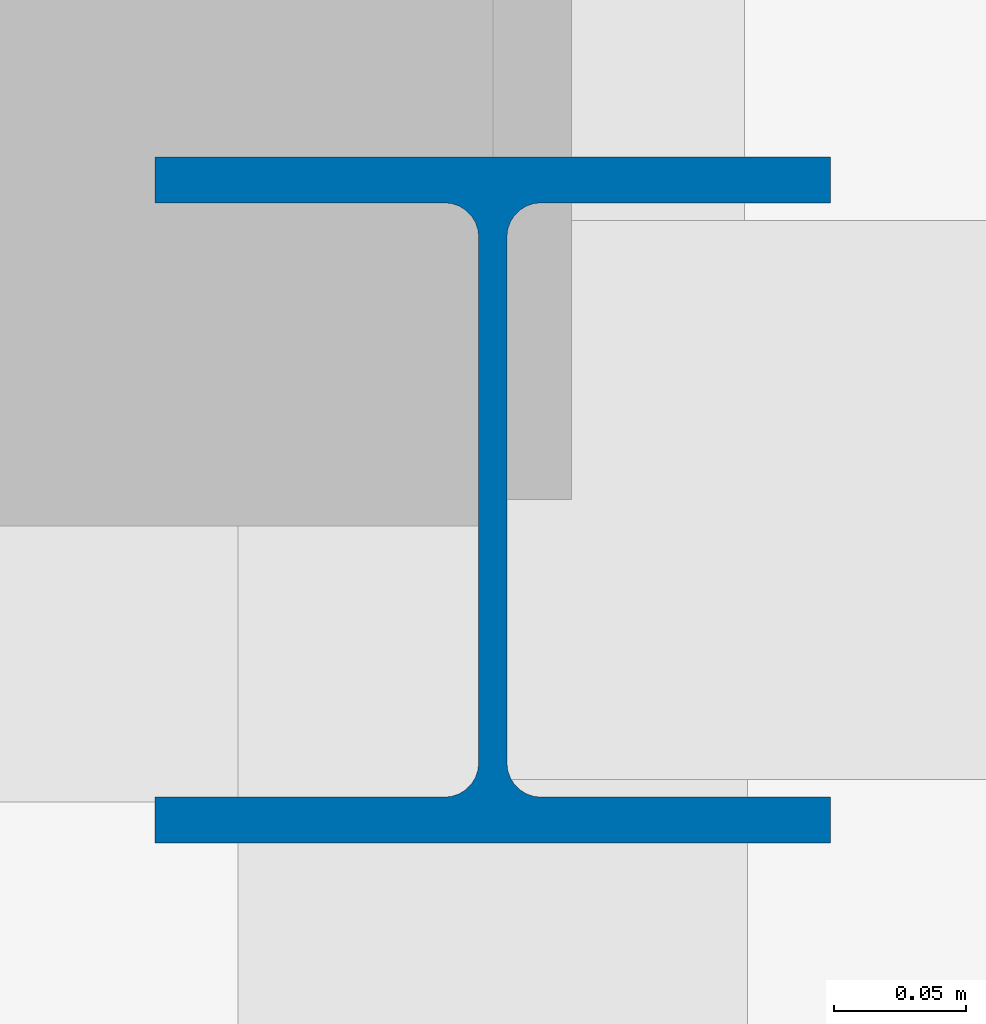
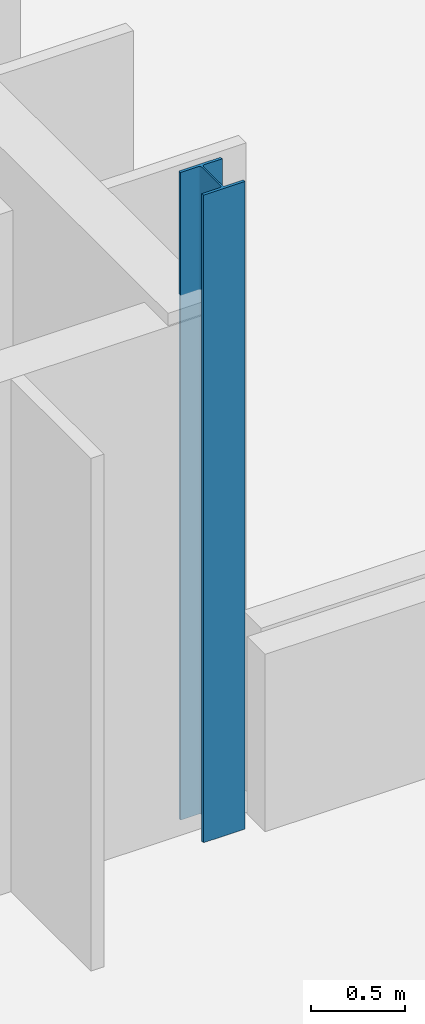
# One storey, part 7 of 52: 1 column.
"""IFC4 building model written with IfcOpenShell, lengths in metres."""

from ifc_helpers import new_model, si_unit, direction, frame, origin, origin_2d, place, context, subcontext, project, spatial, i_section, extrude, material, material_profile, profile_set, type_object, element, save


model = new_model("IFC4")

# Units and contexts
model_context = context("Model", 3, precision=1e-05, world=origin(), true_north=direction((0.0, 1.0)))
body_context = subcontext(model_context, "Body", "Model", "MODEL_VIEW")
ifc_project = project(units=[si_unit("LENGTHUNIT", "METRE"), si_unit("AREAUNIT", "SQUARE_METRE"), si_unit("VOLUMEUNIT", "CUBIC_METRE"), si_unit("PLANEANGLEUNIT", "RADIAN"), si_unit("MASSUNIT", "GRAM", prefix="KILO")], contexts=[model_context])

# Site, building, storey
site_placement = place(None, origin())
site = spatial("IfcSite", under=ifc_project, at=site_placement, CompositionType="ELEMENT")
building_placement = place(site_placement, origin())
building = spatial("IfcBuilding", under=site, at=building_placement, Name="Qelthora Terrace Specialist Clinic", CompositionType="ELEMENT")
storey_placement = place(building_placement, frame((0.0, 0.0, 17.39990234375)))
storey = spatial("IfcBuildingStorey", under=building, at=storey_placement, Name="L04", CompositionType="ELEMENT", Elevation=17.39990234375)

# Column
ifc_material = material(Name="Steel S355", Category="steel")
ifc_material_profile = material_profile(ifc_material, i_section(OverallWidth=0.256103515625, OverallDepth=0.260009765625, WebThickness=0.0107421875, FlangeThickness=0.017333984375, FilletRadius=0.012939453125, at=origin_2d()), Name="W250X89")
ifc_profile_set = profile_set([ifc_material_profile], Name="Steel S355")
column_type = type_object("IfcColumnType", Name="COL-W250X89", PredefinedType="COLUMN", material=ifc_profile_set)
column_placement = place(storey_placement, frame((100.800048828125, 92.39990234375, 0.0), z_axis=(0.0, 0.0, 1.0), x_axis=(1.0, 0.0, 0.0)))
element("IfcColumn", 1, at=column_placement, inside=storey, type_object=column_type, Name="Column L04-172", PredefinedType="COLUMN", context=body_context, shape_type="SweptSolid", body=[
    extrude(i_section(OverallWidth=0.256103515625, OverallDepth=0.260009765625, WebThickness=0.0107421875, FlangeThickness=0.017333984375, FilletRadius=0.012939453125, at=origin_2d()), origin(), (0.0, 0.0, 1.0), 4.2001953125),
])

save(model, "model.ifc")
